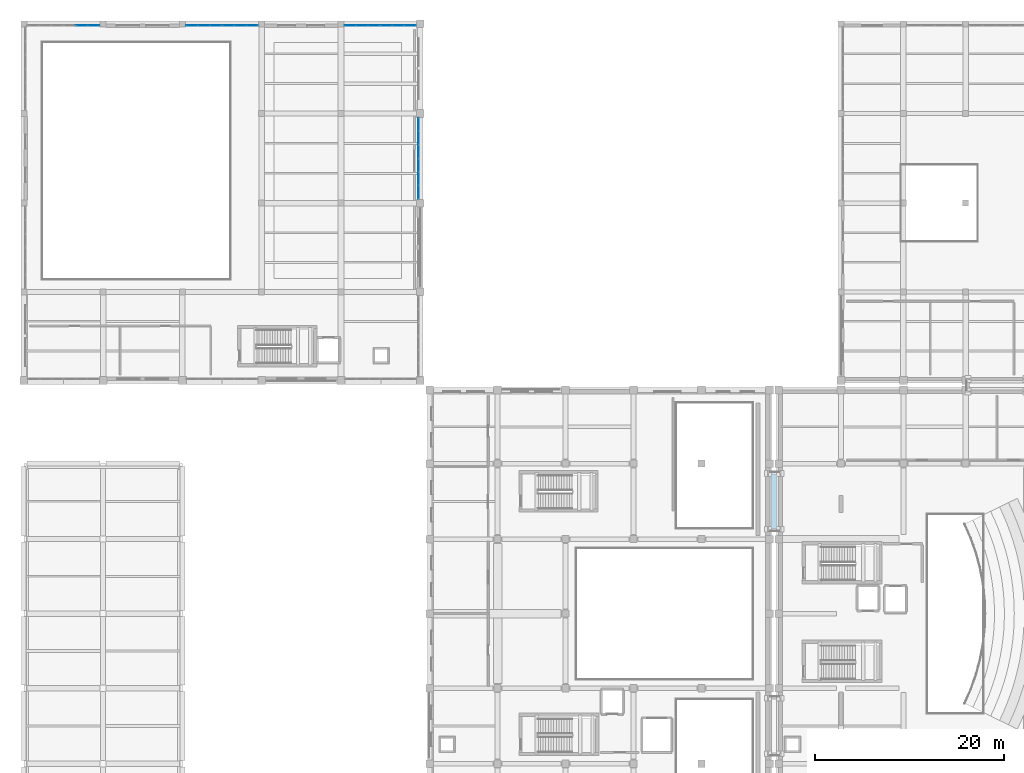
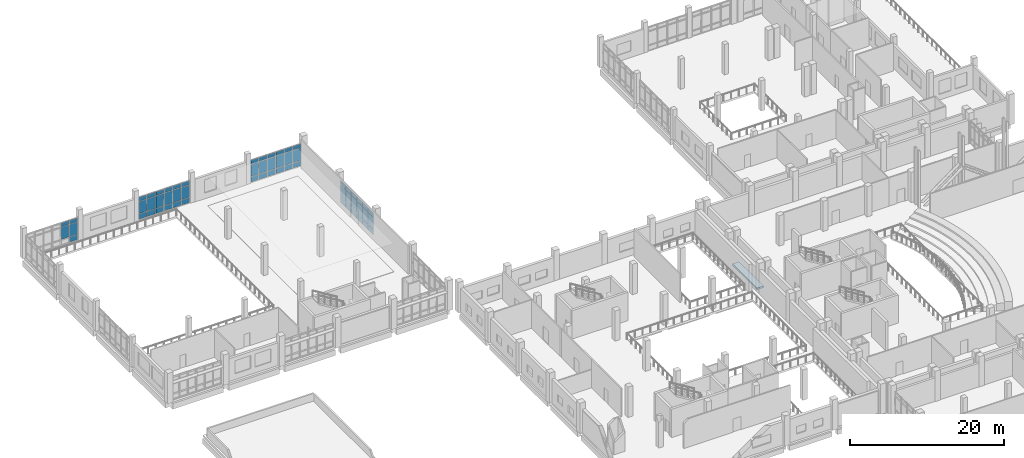
# One storey, part 43 of 73: 59 plates, 1 slab, 7 elements without a shape of their own.
"""IFC4 building model written with IfcOpenShell, lengths in metres."""

from ifc_helpers import new_model, si_unit, direction, frame, origin, origin_2d, place, context, subcontext, project, spatial, polyline, rectangle, outline, extrude, material, layer, layer_set, type_object, element, aggregate, save


model = new_model("IFC4")

# Units and contexts
model_context = context("Model", 3, precision=1e-05, world=origin(), true_north=direction((0.0, 1.0)))
body_context = subcontext(model_context, "Body", "Model", "MODEL_VIEW")
ifc_project = project(units=[si_unit("LENGTHUNIT", "METRE"), si_unit("AREAUNIT", "SQUARE_METRE"), si_unit("VOLUMEUNIT", "CUBIC_METRE"), si_unit("PLANEANGLEUNIT", "RADIAN"), si_unit("MASSUNIT", "GRAM", prefix="KILO")], contexts=[model_context])

# Site, building, storey
site_placement = place(None, origin())
site = spatial("IfcSite", under=ifc_project, at=site_placement, CompositionType="ELEMENT")
building_placement = place(site_placement, origin())
building = spatial("IfcBuilding", under=site, at=building_placement, Name="Kelarvand Opera House", CompositionType="ELEMENT")
storey_placement = place(building_placement, frame((0.0, 0.0, 10.199951171875)))
storey = spatial("IfcBuildingStorey", under=building, at=storey_placement, Name="L02", CompositionType="ELEMENT", Elevation=10.199951171875)

# Curtain wall, plates
ifc_material_1 = material(Name="Thermally broken aluminium and low-E glazing", Category="aluminium")
ifc_layer_1 = layer(ifc_material_1, 0.179931640625, Name="Thermally broken aluminium and low-E glazing", Category="aluminium")
ifc_layer_set_1 = layer_set([ifc_layer_1], Name="Thermally broken aluminium and low-E glazing")
curtain_wall_type_1 = type_object("IfcCurtainWallType", Name="Unitised Low-E Curtain Wall 4326x3600 Mod 1350 CWF-15", PredefinedType="USERDEFINED", material=ifc_layer_set_1)
curtain_wall_1_placement = place(storey_placement, origin())
curtain_wall_1 = element("IfcCurtainWall", 1, at=curtain_wall_1_placement, inside=storey, type_object=curtain_wall_type_1, Name="V3 L02 Curtain Wall CWF-15 (67)", ObjectType="UNITISED CURTAIN WALL", PredefinedType="USERDEFINED")
ifc_material_2 = material(Name="Low-E laminated double glazing", Category="glass")
ifc_layer_2 = layer(ifc_material_2, 0.031982421875, Name="Low-E laminated double glazing", Category="glass")
ifc_layer_set_2 = layer_set([ifc_layer_2], Name="Low-E laminated double glazing")
plate_type = type_object("IfcPlateType", Name="Low-E Argon Double Glazed Curtain Panel 32mm", PredefinedType="CURTAIN_PANEL", material=ifc_layer_set_2)
plate_1_placement = place(storey_placement, frame((50.820068359375, 114.3427734375, 0.06494140625), z_axis=(0.0, 0.0, 1.0), x_axis=(0.0, -1.0, 0.0)))
plate_1 = element("IfcPlate", 2, at=plate_1_placement, type_object=plate_type, Name="CWF-15 panel 1.1", PredefinedType="CURTAIN_PANEL", context=body_context, shape_type="SweptSolid", body=[
    extrude(rectangle(XDim=1.344482421875, YDim=0.031982421875, at=origin_2d()), origin(), (0.0, 0.0, 1.0), 0.802490234375),
])
plate_2_placement = place(storey_placement, frame((50.820068359375, 114.3427734375, 0.9326171875), z_axis=(0.0, 0.0, 1.0), x_axis=(0.0, -1.0, 0.0)))
plate_2 = element("IfcPlate", 3, at=plate_2_placement, type_object=plate_type, Name="CWF-15 panel 1.2", PredefinedType="CURTAIN_PANEL", context=body_context, shape_type="SweptSolid", body=[
    extrude(rectangle(XDim=1.344482421875, YDim=0.031982421875, at=origin_2d()), origin(), (0.0, 0.0, 1.0), 1.93505859375),
])
plate_3_placement = place(storey_placement, frame((50.820068359375, 114.3427734375, 2.9326171875), z_axis=(0.0, 0.0, 1.0), x_axis=(0.0, -1.0, 0.0)))
plate_3 = element("IfcPlate", 4, at=plate_3_placement, type_object=plate_type, Name="CWF-15 panel 1.3", PredefinedType="CURTAIN_PANEL", context=body_context, shape_type="SweptSolid", body=[
    extrude(rectangle(XDim=1.344482421875, YDim=0.031982421875, at=origin_2d()), origin(), (0.0, 0.0, 1.0), 0.6025390625),
])
plate_4_placement = place(storey_placement, frame((50.820068359375, 112.9169921875, 0.06494140625), z_axis=(0.0, 0.0, 1.0), x_axis=(0.0, -1.0, 0.0)))
plate_4 = element("IfcPlate", 5, at=plate_4_placement, type_object=plate_type, Name="CWF-15 panel 2.1", PredefinedType="CURTAIN_PANEL", context=body_context, shape_type="SweptSolid", body=[
    extrude(rectangle(XDim=1.376953125, YDim=0.031982421875, at=origin_2d()), origin(), (0.0, 0.0, 1.0), 0.802490234375),
])
plate_5_placement = place(storey_placement, frame((50.820068359375, 112.9169921875, 0.9326171875), z_axis=(0.0, 0.0, 1.0), x_axis=(0.0, -1.0, 0.0)))
plate_5 = element("IfcPlate", 6, at=plate_5_placement, type_object=plate_type, Name="CWF-15 panel 2.2", PredefinedType="CURTAIN_PANEL", context=body_context, shape_type="SweptSolid", body=[
    extrude(rectangle(XDim=1.376953125, YDim=0.031982421875, at=origin_2d()), origin(), (0.0, 0.0, 1.0), 1.93505859375),
])
plate_6_placement = place(storey_placement, frame((50.820068359375, 112.9169921875, 2.9326171875), z_axis=(0.0, 0.0, 1.0), x_axis=(0.0, -1.0, 0.0)))
plate_6 = element("IfcPlate", 7, at=plate_6_placement, type_object=plate_type, Name="CWF-15 panel 2.3", PredefinedType="CURTAIN_PANEL", context=body_context, shape_type="SweptSolid", body=[
    extrude(rectangle(XDim=1.376953125, YDim=0.031982421875, at=origin_2d()), origin(), (0.0, 0.0, 1.0), 0.6025390625),
])
plate_7_placement = place(storey_placement, frame((50.820068359375, 111.4912109375, 0.06494140625), z_axis=(0.0, 0.0, 1.0), x_axis=(0.0, -1.0, 0.0)))
plate_7 = element("IfcPlate", 8, at=plate_7_placement, type_object=plate_type, Name="CWF-15 panel 3.1", PredefinedType="CURTAIN_PANEL", context=body_context, shape_type="SweptSolid", body=[
    extrude(rectangle(XDim=1.344482421875, YDim=0.031982421875, at=origin_2d()), origin(), (0.0, 0.0, 1.0), 0.802490234375),
])
plate_8_placement = place(storey_placement, frame((50.820068359375, 111.4912109375, 0.9326171875), z_axis=(0.0, 0.0, 1.0), x_axis=(0.0, -1.0, 0.0)))
plate_8 = element("IfcPlate", 9, at=plate_8_placement, type_object=plate_type, Name="CWF-15 panel 3.2", PredefinedType="CURTAIN_PANEL", context=body_context, shape_type="SweptSolid", body=[
    extrude(rectangle(XDim=1.344482421875, YDim=0.031982421875, at=origin_2d()), origin(), (0.0, 0.0, 1.0), 1.93505859375),
])
plate_9_placement = place(storey_placement, frame((50.820068359375, 111.4912109375, 2.9326171875), z_axis=(0.0, 0.0, 1.0), x_axis=(0.0, -1.0, 0.0)))
plate_9 = element("IfcPlate", 10, at=plate_9_placement, type_object=plate_type, Name="CWF-15 panel 3.3", PredefinedType="CURTAIN_PANEL", context=body_context, shape_type="SweptSolid", body=[
    extrude(rectangle(XDim=1.344482421875, YDim=0.031982421875, at=origin_2d()), origin(), (0.0, 0.0, 1.0), 0.6025390625),
])
aggregate(curtain_wall_1, [plate_1, plate_2, plate_3, plate_4, plate_5, plate_6, plate_7, plate_8, plate_9])

curtain_wall_2_placement = place(storey_placement, origin())
curtain_wall_2 = element("IfcCurtainWall", 11, at=curtain_wall_2_placement, inside=storey, type_object=curtain_wall_type_1, Name="V3 L02 Curtain Wall CWF-15 (68)", ObjectType="UNITISED CURTAIN WALL", PredefinedType="USERDEFINED")
plate_10_placement = place(storey_placement, frame((50.820068359375, 110.011962890625, 0.06494140625), z_axis=(0.0, 0.0, 1.0), x_axis=(0.0, -1.0, 0.0)))
plate_10 = element("IfcPlate", 12, at=plate_10_placement, type_object=plate_type, Name="CWF-15 panel 1.1", PredefinedType="CURTAIN_PANEL", context=body_context, shape_type="SweptSolid", body=[
    extrude(rectangle(XDim=1.345947265625, YDim=0.031982421875, at=origin_2d()), origin(), (0.0, 0.0, 1.0), 0.802490234375),
])
plate_11_placement = place(storey_placement, frame((50.820068359375, 110.011962890625, 0.9326171875), z_axis=(0.0, 0.0, 1.0), x_axis=(0.0, -1.0, 0.0)))
plate_11 = element("IfcPlate", 13, at=plate_11_placement, type_object=plate_type, Name="CWF-15 panel 1.2", PredefinedType="CURTAIN_PANEL", context=body_context, shape_type="SweptSolid", body=[
    extrude(rectangle(XDim=1.345947265625, YDim=0.031982421875, at=origin_2d()), origin(), (0.0, 0.0, 1.0), 1.93505859375),
])
plate_12_placement = place(storey_placement, frame((50.820068359375, 110.011962890625, 2.9326171875), z_axis=(0.0, 0.0, 1.0), x_axis=(0.0, -1.0, 0.0)))
plate_12 = element("IfcPlate", 14, at=plate_12_placement, type_object=plate_type, Name="CWF-15 panel 1.3", PredefinedType="CURTAIN_PANEL", context=body_context, shape_type="SweptSolid", body=[
    extrude(rectangle(XDim=1.345947265625, YDim=0.031982421875, at=origin_2d()), origin(), (0.0, 0.0, 1.0), 0.6025390625),
])
plate_13_placement = place(storey_placement, frame((50.820068359375, 108.5849609375, 0.06494140625), z_axis=(0.0, 0.0, 1.0), x_axis=(0.0, -1.0, 0.0)))
plate_13 = element("IfcPlate", 15, at=plate_13_placement, type_object=plate_type, Name="CWF-15 panel 2.1", PredefinedType="CURTAIN_PANEL", context=body_context, shape_type="SweptSolid", body=[
    extrude(rectangle(XDim=1.37841796875, YDim=0.031982421875, at=origin_2d()), origin(), (0.0, 0.0, 1.0), 0.802490234375),
])
plate_14_placement = place(storey_placement, frame((50.820068359375, 108.5849609375, 0.9326171875), z_axis=(0.0, 0.0, 1.0), x_axis=(0.0, -1.0, 0.0)))
plate_14 = element("IfcPlate", 16, at=plate_14_placement, type_object=plate_type, Name="CWF-15 panel 2.2", PredefinedType="CURTAIN_PANEL", context=body_context, shape_type="SweptSolid", body=[
    extrude(rectangle(XDim=1.37841796875, YDim=0.031982421875, at=origin_2d()), origin(), (0.0, 0.0, 1.0), 1.93505859375),
])
plate_15_placement = place(storey_placement, frame((50.820068359375, 108.5849609375, 2.9326171875), z_axis=(0.0, 0.0, 1.0), x_axis=(0.0, -1.0, 0.0)))
plate_15 = element("IfcPlate", 17, at=plate_15_placement, type_object=plate_type, Name="CWF-15 panel 2.3", PredefinedType="CURTAIN_PANEL", context=body_context, shape_type="SweptSolid", body=[
    extrude(rectangle(XDim=1.37841796875, YDim=0.031982421875, at=origin_2d()), origin(), (0.0, 0.0, 1.0), 0.6025390625),
])
plate_16_placement = place(storey_placement, frame((50.820068359375, 107.157958984375, 0.06494140625), z_axis=(0.0, 0.0, 1.0), x_axis=(0.0, -1.0, 0.0)))
plate_16 = element("IfcPlate", 18, at=plate_16_placement, type_object=plate_type, Name="CWF-15 panel 3.1", PredefinedType="CURTAIN_PANEL", context=body_context, shape_type="SweptSolid", body=[
    extrude(rectangle(XDim=1.345947265625, YDim=0.031982421875, at=origin_2d()), origin(), (0.0, 0.0, 1.0), 0.802490234375),
])
plate_17_placement = place(storey_placement, frame((50.820068359375, 107.157958984375, 0.9326171875), z_axis=(0.0, 0.0, 1.0), x_axis=(0.0, -1.0, 0.0)))
plate_17 = element("IfcPlate", 19, at=plate_17_placement, type_object=plate_type, Name="CWF-15 panel 3.2", PredefinedType="CURTAIN_PANEL", context=body_context, shape_type="SweptSolid", body=[
    extrude(rectangle(XDim=1.345947265625, YDim=0.031982421875, at=origin_2d()), origin(), (0.0, 0.0, 1.0), 1.93505859375),
])
plate_18_placement = place(storey_placement, frame((50.820068359375, 107.157958984375, 2.9326171875), z_axis=(0.0, 0.0, 1.0), x_axis=(0.0, -1.0, 0.0)))
plate_18 = element("IfcPlate", 20, at=plate_18_placement, type_object=plate_type, Name="CWF-15 panel 3.3", PredefinedType="CURTAIN_PANEL", context=body_context, shape_type="SweptSolid", body=[
    extrude(rectangle(XDim=1.345947265625, YDim=0.031982421875, at=origin_2d()), origin(), (0.0, 0.0, 1.0), 0.6025390625),
])
aggregate(curtain_wall_2, [plate_10, plate_11, plate_12, plate_13, plate_14, plate_15, plate_16, plate_17, plate_18])

ifc_layer_3 = layer(ifc_material_1, 0.179931640625, Name="Thermally broken aluminium and low-E glazing", Category="aluminium")
ifc_layer_set_3 = layer_set([ifc_layer_3], Name="Thermally broken aluminium and low-E glazing")
curtain_wall_type_2 = type_object("IfcCurtainWallType", Name="Unitised Low-E Curtain Wall 3861x3600 Mod 1350 CWF-17", PredefinedType="USERDEFINED", material=ifc_layer_set_3)
curtain_wall_3_placement = place(storey_placement, origin())
curtain_wall_3 = element("IfcCurtainWall", 21, at=curtain_wall_3_placement, inside=storey, type_object=curtain_wall_type_2, Name="V3 L02 Curtain Wall CWF-17 (72)", ObjectType="UNITISED CURTAIN WALL", PredefinedType="USERDEFINED")
plate_19_placement = place(storey_placement, frame((15.132568359375, 124.820068359375, 0.9326171875), z_axis=(0.0, 0.0, 1.0), x_axis=(1.0, 0.0, 0.0)))
plate_19 = element("IfcPlate", 22, at=plate_19_placement, type_object=plate_type, Name="CWF-17 panel 2.2", PredefinedType="CURTAIN_PANEL", context=body_context, shape_type="SweptSolid", body=[
    extrude(rectangle(XDim=1.223388671875, YDim=0.031982421875, at=origin_2d()), origin(), (0.0, 0.0, 1.0), 1.93505859375),
])
plate_20_placement = place(storey_placement, frame((15.132568359375, 124.820068359375, 2.9326171875), z_axis=(0.0, 0.0, 1.0), x_axis=(1.0, 0.0, 0.0)))
plate_20 = element("IfcPlate", 23, at=plate_20_placement, type_object=plate_type, Name="CWF-17 panel 2.3", PredefinedType="CURTAIN_PANEL", context=body_context, shape_type="SweptSolid", body=[
    extrude(rectangle(XDim=1.223388671875, YDim=0.031982421875, at=origin_2d()), origin(), (0.0, 0.0, 1.0), 0.6025390625),
])
plate_21_placement = place(storey_placement, frame((16.404541015625, 124.820068359375, 0.06494140625), z_axis=(0.0, 0.0, 1.0), x_axis=(1.0, 0.0, 0.0)))
plate_21 = element("IfcPlate", 24, at=plate_21_placement, type_object=plate_type, Name="CWF-17 panel 3.1", PredefinedType="CURTAIN_PANEL", context=body_context, shape_type="SweptSolid", body=[
    extrude(rectangle(XDim=1.19091796875, YDim=0.031982421875, at=origin_2d()), origin(), (0.0, 0.0, 1.0), 0.802490234375),
])
plate_22_placement = place(storey_placement, frame((16.404541015625, 124.820068359375, 0.9326171875), z_axis=(0.0, 0.0, 1.0), x_axis=(1.0, 0.0, 0.0)))
plate_22 = element("IfcPlate", 25, at=plate_22_placement, type_object=plate_type, Name="CWF-17 panel 3.2", PredefinedType="CURTAIN_PANEL", context=body_context, shape_type="SweptSolid", body=[
    extrude(rectangle(XDim=1.19091796875, YDim=0.031982421875, at=origin_2d()), origin(), (0.0, 0.0, 1.0), 1.93505859375),
])
plate_23_placement = place(storey_placement, frame((16.404541015625, 124.820068359375, 2.9326171875), z_axis=(0.0, 0.0, 1.0), x_axis=(1.0, 0.0, 0.0)))
plate_23 = element("IfcPlate", 26, at=plate_23_placement, type_object=plate_type, Name="CWF-17 panel 3.3", PredefinedType="CURTAIN_PANEL", context=body_context, shape_type="SweptSolid", body=[
    extrude(rectangle(XDim=1.19091796875, YDim=0.031982421875, at=origin_2d()), origin(), (0.0, 0.0, 1.0), 0.6025390625),
])
aggregate(curtain_wall_3, [plate_19, plate_20, plate_21, plate_22, plate_23])

curtain_wall_4_placement = place(storey_placement, origin())
curtain_wall_4 = element("IfcCurtainWall", 27, at=curtain_wall_4_placement, inside=storey, type_object=curtain_wall_type_2, Name="V3 L02 Curtain Wall CWF-17 (73)", ObjectType="UNITISED CURTAIN WALL", PredefinedType="USERDEFINED")
plate_24_placement = place(storey_placement, frame((26.794677734375, 124.820068359375, 0.06494140625), z_axis=(0.0, 0.0, 1.0), x_axis=(1.0, 0.0, 0.0)))
plate_24 = element("IfcPlate", 28, at=plate_24_placement, type_object=plate_type, Name="CWF-17 panel 1.1", PredefinedType="CURTAIN_PANEL", context=body_context, shape_type="SweptSolid", body=[
    extrude(rectangle(XDim=1.189453125, YDim=0.031982421875, at=origin_2d()), origin(), (0.0, 0.0, 1.0), 0.802490234375),
])
plate_25_placement = place(storey_placement, frame((26.794677734375, 124.820068359375, 0.9326171875), z_axis=(0.0, 0.0, 1.0), x_axis=(1.0, 0.0, 0.0)))
plate_25 = element("IfcPlate", 29, at=plate_25_placement, type_object=plate_type, Name="CWF-17 panel 1.2", PredefinedType="CURTAIN_PANEL", context=body_context, shape_type="SweptSolid", body=[
    extrude(rectangle(XDim=1.189453125, YDim=0.031982421875, at=origin_2d()), origin(), (0.0, 0.0, 1.0), 1.93505859375),
])
plate_26_placement = place(storey_placement, frame((26.794677734375, 124.820068359375, 2.9326171875), z_axis=(0.0, 0.0, 1.0), x_axis=(1.0, 0.0, 0.0)))
plate_26 = element("IfcPlate", 30, at=plate_26_placement, type_object=plate_type, Name="CWF-17 panel 1.3", PredefinedType="CURTAIN_PANEL", context=body_context, shape_type="SweptSolid", body=[
    extrude(rectangle(XDim=1.189453125, YDim=0.031982421875, at=origin_2d()), origin(), (0.0, 0.0, 1.0), 0.6025390625),
])
plate_27_placement = place(storey_placement, frame((28.0654296875, 124.820068359375, 0.06494140625), z_axis=(0.0, 0.0, 1.0), x_axis=(1.0, 0.0, 0.0)))
plate_27 = element("IfcPlate", 31, at=plate_27_placement, type_object=plate_type, Name="CWF-17 panel 2.1", PredefinedType="CURTAIN_PANEL", context=body_context, shape_type="SweptSolid", body=[
    extrude(rectangle(XDim=1.221923828125, YDim=0.031982421875, at=origin_2d()), origin(), (0.0, 0.0, 1.0), 0.802490234375),
])
plate_28_placement = place(storey_placement, frame((28.0654296875, 124.820068359375, 0.9326171875), z_axis=(0.0, 0.0, 1.0), x_axis=(1.0, 0.0, 0.0)))
plate_28 = element("IfcPlate", 32, at=plate_28_placement, type_object=plate_type, Name="CWF-17 panel 2.2", PredefinedType="CURTAIN_PANEL", context=body_context, shape_type="SweptSolid", body=[
    extrude(rectangle(XDim=1.221923828125, YDim=0.031982421875, at=origin_2d()), origin(), (0.0, 0.0, 1.0), 1.93505859375),
])
plate_29_placement = place(storey_placement, frame((28.0654296875, 124.820068359375, 2.9326171875), z_axis=(0.0, 0.0, 1.0), x_axis=(1.0, 0.0, 0.0)))
plate_29 = element("IfcPlate", 33, at=plate_29_placement, type_object=plate_type, Name="CWF-17 panel 2.3", PredefinedType="CURTAIN_PANEL", context=body_context, shape_type="SweptSolid", body=[
    extrude(rectangle(XDim=1.221923828125, YDim=0.031982421875, at=origin_2d()), origin(), (0.0, 0.0, 1.0), 0.6025390625),
])
plate_30_placement = place(storey_placement, frame((29.336181640625, 124.820068359375, 0.06494140625), z_axis=(0.0, 0.0, 1.0), x_axis=(1.0, 0.0, 0.0)))
plate_30 = element("IfcPlate", 34, at=plate_30_placement, type_object=plate_type, Name="CWF-17 panel 3.1", PredefinedType="CURTAIN_PANEL", context=body_context, shape_type="SweptSolid", body=[
    extrude(rectangle(XDim=1.189453125, YDim=0.031982421875, at=origin_2d()), origin(), (0.0, 0.0, 1.0), 0.802490234375),
])
plate_31_placement = place(storey_placement, frame((29.336181640625, 124.820068359375, 0.9326171875), z_axis=(0.0, 0.0, 1.0), x_axis=(1.0, 0.0, 0.0)))
plate_31 = element("IfcPlate", 35, at=plate_31_placement, type_object=plate_type, Name="CWF-17 panel 3.2", PredefinedType="CURTAIN_PANEL", context=body_context, shape_type="SweptSolid", body=[
    extrude(rectangle(XDim=1.189453125, YDim=0.031982421875, at=origin_2d()), origin(), (0.0, 0.0, 1.0), 1.93505859375),
])
plate_32_placement = place(storey_placement, frame((29.336181640625, 124.820068359375, 2.9326171875), z_axis=(0.0, 0.0, 1.0), x_axis=(1.0, 0.0, 0.0)))
plate_32 = element("IfcPlate", 36, at=plate_32_placement, type_object=plate_type, Name="CWF-17 panel 3.3", PredefinedType="CURTAIN_PANEL", context=body_context, shape_type="SweptSolid", body=[
    extrude(rectangle(XDim=1.189453125, YDim=0.031982421875, at=origin_2d()), origin(), (0.0, 0.0, 1.0), 0.6025390625),
])
aggregate(curtain_wall_4, [plate_24, plate_25, plate_26, plate_27, plate_28, plate_29, plate_30, plate_31, plate_32])

curtain_wall_5_placement = place(storey_placement, origin())
curtain_wall_5 = element("IfcCurtainWall", 37, at=curtain_wall_5_placement, inside=storey, type_object=curtain_wall_type_2, Name="V3 L02 Curtain Wall CWF-17 (74)", ObjectType="UNITISED CURTAIN WALL", PredefinedType="USERDEFINED")
plate_33_placement = place(storey_placement, frame((30.660400390625, 124.820068359375, 0.06494140625), z_axis=(0.0, 0.0, 1.0), x_axis=(1.0, 0.0, 0.0)))
plate_33 = element("IfcPlate", 38, at=plate_33_placement, type_object=plate_type, Name="CWF-17 panel 1.1", PredefinedType="CURTAIN_PANEL", context=body_context, shape_type="SweptSolid", body=[
    extrude(rectangle(XDim=1.19091796875, YDim=0.031982421875, at=origin_2d()), origin(), (0.0, 0.0, 1.0), 0.802490234375),
])
plate_34_placement = place(storey_placement, frame((30.660400390625, 124.820068359375, 0.9326171875), z_axis=(0.0, 0.0, 1.0), x_axis=(1.0, 0.0, 0.0)))
plate_34 = element("IfcPlate", 39, at=plate_34_placement, type_object=plate_type, Name="CWF-17 panel 1.2", PredefinedType="CURTAIN_PANEL", context=body_context, shape_type="SweptSolid", body=[
    extrude(rectangle(XDim=1.19091796875, YDim=0.031982421875, at=origin_2d()), origin(), (0.0, 0.0, 1.0), 1.93505859375),
])
plate_35_placement = place(storey_placement, frame((30.660400390625, 124.820068359375, 2.9326171875), z_axis=(0.0, 0.0, 1.0), x_axis=(1.0, 0.0, 0.0)))
plate_35 = element("IfcPlate", 40, at=plate_35_placement, type_object=plate_type, Name="CWF-17 panel 1.3", PredefinedType="CURTAIN_PANEL", context=body_context, shape_type="SweptSolid", body=[
    extrude(rectangle(XDim=1.19091796875, YDim=0.031982421875, at=origin_2d()), origin(), (0.0, 0.0, 1.0), 0.6025390625),
])
plate_36_placement = place(storey_placement, frame((31.9326171875, 124.820068359375, 0.06494140625), z_axis=(0.0, 0.0, 1.0), x_axis=(1.0, 0.0, 0.0)))
plate_36 = element("IfcPlate", 41, at=plate_36_placement, type_object=plate_type, Name="CWF-17 panel 2.1", PredefinedType="CURTAIN_PANEL", context=body_context, shape_type="SweptSolid", body=[
    extrude(rectangle(XDim=1.223388671875, YDim=0.031982421875, at=origin_2d()), origin(), (0.0, 0.0, 1.0), 0.802490234375),
])
plate_37_placement = place(storey_placement, frame((31.9326171875, 124.820068359375, 0.9326171875), z_axis=(0.0, 0.0, 1.0), x_axis=(1.0, 0.0, 0.0)))
plate_37 = element("IfcPlate", 42, at=plate_37_placement, type_object=plate_type, Name="CWF-17 panel 2.2", PredefinedType="CURTAIN_PANEL", context=body_context, shape_type="SweptSolid", body=[
    extrude(rectangle(XDim=1.223388671875, YDim=0.031982421875, at=origin_2d()), origin(), (0.0, 0.0, 1.0), 1.93505859375),
])
plate_38_placement = place(storey_placement, frame((31.9326171875, 124.820068359375, 2.9326171875), z_axis=(0.0, 0.0, 1.0), x_axis=(1.0, 0.0, 0.0)))
plate_38 = element("IfcPlate", 43, at=plate_38_placement, type_object=plate_type, Name="CWF-17 panel 2.3", PredefinedType="CURTAIN_PANEL", context=body_context, shape_type="SweptSolid", body=[
    extrude(rectangle(XDim=1.223388671875, YDim=0.031982421875, at=origin_2d()), origin(), (0.0, 0.0, 1.0), 0.6025390625),
])
plate_39_placement = place(storey_placement, frame((33.20458984375, 124.820068359375, 0.06494140625), z_axis=(0.0, 0.0, 1.0), x_axis=(1.0, 0.0, 0.0)))
plate_39 = element("IfcPlate", 44, at=plate_39_placement, type_object=plate_type, Name="CWF-17 panel 3.1", PredefinedType="CURTAIN_PANEL", context=body_context, shape_type="SweptSolid", body=[
    extrude(rectangle(XDim=1.19091796875, YDim=0.031982421875, at=origin_2d()), origin(), (0.0, 0.0, 1.0), 0.802490234375),
])
plate_40_placement = place(storey_placement, frame((33.20458984375, 124.820068359375, 0.9326171875), z_axis=(0.0, 0.0, 1.0), x_axis=(1.0, 0.0, 0.0)))
plate_40 = element("IfcPlate", 45, at=plate_40_placement, type_object=plate_type, Name="CWF-17 panel 3.2", PredefinedType="CURTAIN_PANEL", context=body_context, shape_type="SweptSolid", body=[
    extrude(rectangle(XDim=1.19091796875, YDim=0.031982421875, at=origin_2d()), origin(), (0.0, 0.0, 1.0), 1.93505859375),
])
plate_41_placement = place(storey_placement, frame((33.20458984375, 124.820068359375, 2.9326171875), z_axis=(0.0, 0.0, 1.0), x_axis=(1.0, 0.0, 0.0)))
plate_41 = element("IfcPlate", 46, at=plate_41_placement, type_object=plate_type, Name="CWF-17 panel 3.3", PredefinedType="CURTAIN_PANEL", context=body_context, shape_type="SweptSolid", body=[
    extrude(rectangle(XDim=1.19091796875, YDim=0.031982421875, at=origin_2d()), origin(), (0.0, 0.0, 1.0), 0.6025390625),
])
aggregate(curtain_wall_5, [plate_33, plate_34, plate_35, plate_36, plate_37, plate_38, plate_39, plate_40, plate_41])

ifc_layer_4 = layer(ifc_material_1, 0.179931640625, Name="Thermally broken aluminium and low-E glazing", Category="aluminium")
ifc_layer_set_4 = layer_set([ifc_layer_4], Name="Thermally broken aluminium and low-E glazing")
curtain_wall_type_3 = type_object("IfcCurtainWallType", Name="Unitised Low-E Curtain Wall 3818x3600 Mod 1350 CWF-18", PredefinedType="USERDEFINED", material=ifc_layer_set_4)
curtain_wall_6_placement = place(storey_placement, origin())
curtain_wall_6 = element("IfcCurtainWall", 47, at=curtain_wall_6_placement, inside=storey, type_object=curtain_wall_type_3, Name="V3 L02 Curtain Wall CWF-18 (75)", ObjectType="UNITISED CURTAIN WALL", PredefinedType="USERDEFINED")
plate_42_placement = place(storey_placement, frame((43.587646484375, 124.820068359375, 0.06494140625), z_axis=(0.0, 0.0, 1.0), x_axis=(1.0, 0.0, 0.0)))
plate_42 = element("IfcPlate", 48, at=plate_42_placement, type_object=plate_type, Name="CWF-18 panel 1.1", PredefinedType="CURTAIN_PANEL", context=body_context, shape_type="SweptSolid", body=[
    extrude(rectangle(XDim=1.17529296875, YDim=0.031982421875, at=origin_2d()), origin(), (0.0, 0.0, 1.0), 0.802490234375),
])
plate_43_placement = place(storey_placement, frame((43.587646484375, 124.820068359375, 0.9326171875), z_axis=(0.0, 0.0, 1.0), x_axis=(1.0, 0.0, 0.0)))
plate_43 = element("IfcPlate", 49, at=plate_43_placement, type_object=plate_type, Name="CWF-18 panel 1.2", PredefinedType="CURTAIN_PANEL", context=body_context, shape_type="SweptSolid", body=[
    extrude(rectangle(XDim=1.17529296875, YDim=0.031982421875, at=origin_2d()), origin(), (0.0, 0.0, 1.0), 1.93505859375),
])
plate_44_placement = place(storey_placement, frame((43.587646484375, 124.820068359375, 2.9326171875), z_axis=(0.0, 0.0, 1.0), x_axis=(1.0, 0.0, 0.0)))
plate_44 = element("IfcPlate", 50, at=plate_44_placement, type_object=plate_type, Name="CWF-18 panel 1.3", PredefinedType="CURTAIN_PANEL", context=body_context, shape_type="SweptSolid", body=[
    extrude(rectangle(XDim=1.17529296875, YDim=0.031982421875, at=origin_2d()), origin(), (0.0, 0.0, 1.0), 0.6025390625),
])
plate_45_placement = place(storey_placement, frame((44.84423828125, 124.820068359375, 0.06494140625), z_axis=(0.0, 0.0, 1.0), x_axis=(1.0, 0.0, 0.0)))
plate_45 = element("IfcPlate", 51, at=plate_45_placement, type_object=plate_type, Name="CWF-18 panel 2.1", PredefinedType="CURTAIN_PANEL", context=body_context, shape_type="SweptSolid", body=[
    extrude(rectangle(XDim=1.207763671875, YDim=0.031982421875, at=origin_2d()), origin(), (0.0, 0.0, 1.0), 0.802490234375),
])
plate_46_placement = place(storey_placement, frame((44.84423828125, 124.820068359375, 0.9326171875), z_axis=(0.0, 0.0, 1.0), x_axis=(1.0, 0.0, 0.0)))
plate_46 = element("IfcPlate", 52, at=plate_46_placement, type_object=plate_type, Name="CWF-18 panel 2.2", PredefinedType="CURTAIN_PANEL", context=body_context, shape_type="SweptSolid", body=[
    extrude(rectangle(XDim=1.207763671875, YDim=0.031982421875, at=origin_2d()), origin(), (0.0, 0.0, 1.0), 1.93505859375),
])
plate_47_placement = place(storey_placement, frame((44.84423828125, 124.820068359375, 2.9326171875), z_axis=(0.0, 0.0, 1.0), x_axis=(1.0, 0.0, 0.0)))
plate_47 = element("IfcPlate", 53, at=plate_47_placement, type_object=plate_type, Name="CWF-18 panel 2.3", PredefinedType="CURTAIN_PANEL", context=body_context, shape_type="SweptSolid", body=[
    extrude(rectangle(XDim=1.207763671875, YDim=0.031982421875, at=origin_2d()), origin(), (0.0, 0.0, 1.0), 0.6025390625),
])
plate_48_placement = place(storey_placement, frame((46.100830078125, 124.820068359375, 0.06494140625), z_axis=(0.0, 0.0, 1.0), x_axis=(1.0, 0.0, 0.0)))
plate_48 = element("IfcPlate", 54, at=plate_48_placement, type_object=plate_type, Name="CWF-18 panel 3.1", PredefinedType="CURTAIN_PANEL", context=body_context, shape_type="SweptSolid", body=[
    extrude(rectangle(XDim=1.17529296875, YDim=0.031982421875, at=origin_2d()), origin(), (0.0, 0.0, 1.0), 0.802490234375),
])
plate_49_placement = place(storey_placement, frame((46.100830078125, 124.820068359375, 0.9326171875), z_axis=(0.0, 0.0, 1.0), x_axis=(1.0, 0.0, 0.0)))
plate_49 = element("IfcPlate", 55, at=plate_49_placement, type_object=plate_type, Name="CWF-18 panel 3.2", PredefinedType="CURTAIN_PANEL", context=body_context, shape_type="SweptSolid", body=[
    extrude(rectangle(XDim=1.17529296875, YDim=0.031982421875, at=origin_2d()), origin(), (0.0, 0.0, 1.0), 1.93505859375),
])
plate_50_placement = place(storey_placement, frame((46.100830078125, 124.820068359375, 2.9326171875), z_axis=(0.0, 0.0, 1.0), x_axis=(1.0, 0.0, 0.0)))
plate_50 = element("IfcPlate", 56, at=plate_50_placement, type_object=plate_type, Name="CWF-18 panel 3.3", PredefinedType="CURTAIN_PANEL", context=body_context, shape_type="SweptSolid", body=[
    extrude(rectangle(XDim=1.17529296875, YDim=0.031982421875, at=origin_2d()), origin(), (0.0, 0.0, 1.0), 0.6025390625),
])
aggregate(curtain_wall_6, [plate_42, plate_43, plate_44, plate_45, plate_46, plate_47, plate_48, plate_49, plate_50])

curtain_wall_7_placement = place(storey_placement, origin())
curtain_wall_7 = element("IfcCurtainWall", 57, at=curtain_wall_7_placement, inside=storey, type_object=curtain_wall_type_3, Name="V3 L02 Curtain Wall CWF-18 (76)", ObjectType="UNITISED CURTAIN WALL", PredefinedType="USERDEFINED")
plate_51_placement = place(storey_placement, frame((47.410888671875, 124.820068359375, 0.06494140625), z_axis=(0.0, 0.0, 1.0), x_axis=(1.0, 0.0, 0.0)))
plate_51 = element("IfcPlate", 58, at=plate_51_placement, type_object=plate_type, Name="CWF-18 panel 1.1", PredefinedType="CURTAIN_PANEL", context=body_context, shape_type="SweptSolid", body=[
    extrude(rectangle(XDim=1.1767578125, YDim=0.031982421875, at=origin_2d()), origin(), (0.0, 0.0, 1.0), 0.802490234375),
])
plate_52_placement = place(storey_placement, frame((47.410888671875, 124.820068359375, 0.9326171875), z_axis=(0.0, 0.0, 1.0), x_axis=(1.0, 0.0, 0.0)))
plate_52 = element("IfcPlate", 59, at=plate_52_placement, type_object=plate_type, Name="CWF-18 panel 1.2", PredefinedType="CURTAIN_PANEL", context=body_context, shape_type="SweptSolid", body=[
    extrude(rectangle(XDim=1.1767578125, YDim=0.031982421875, at=origin_2d()), origin(), (0.0, 0.0, 1.0), 1.93505859375),
])
plate_53_placement = place(storey_placement, frame((47.410888671875, 124.820068359375, 2.9326171875), z_axis=(0.0, 0.0, 1.0), x_axis=(1.0, 0.0, 0.0)))
plate_53 = element("IfcPlate", 60, at=plate_53_placement, type_object=plate_type, Name="CWF-18 panel 1.3", PredefinedType="CURTAIN_PANEL", context=body_context, shape_type="SweptSolid", body=[
    extrude(rectangle(XDim=1.1767578125, YDim=0.031982421875, at=origin_2d()), origin(), (0.0, 0.0, 1.0), 0.6025390625),
])
plate_54_placement = place(storey_placement, frame((48.668701171875, 124.820068359375, 0.06494140625), z_axis=(0.0, 0.0, 1.0), x_axis=(1.0, 0.0, 0.0)))
plate_54 = element("IfcPlate", 61, at=plate_54_placement, type_object=plate_type, Name="CWF-18 panel 2.1", PredefinedType="CURTAIN_PANEL", context=body_context, shape_type="SweptSolid", body=[
    extrude(rectangle(XDim=1.209228515625, YDim=0.031982421875, at=origin_2d()), origin(), (0.0, 0.0, 1.0), 0.802490234375),
])
plate_55_placement = place(storey_placement, frame((48.668701171875, 124.820068359375, 0.9326171875), z_axis=(0.0, 0.0, 1.0), x_axis=(1.0, 0.0, 0.0)))
plate_55 = element("IfcPlate", 62, at=plate_55_placement, type_object=plate_type, Name="CWF-18 panel 2.2", PredefinedType="CURTAIN_PANEL", context=body_context, shape_type="SweptSolid", body=[
    extrude(rectangle(XDim=1.209228515625, YDim=0.031982421875, at=origin_2d()), origin(), (0.0, 0.0, 1.0), 1.93505859375),
])
plate_56_placement = place(storey_placement, frame((48.668701171875, 124.820068359375, 2.9326171875), z_axis=(0.0, 0.0, 1.0), x_axis=(1.0, 0.0, 0.0)))
plate_56 = element("IfcPlate", 63, at=plate_56_placement, type_object=plate_type, Name="CWF-18 panel 2.3", PredefinedType="CURTAIN_PANEL", context=body_context, shape_type="SweptSolid", body=[
    extrude(rectangle(XDim=1.209228515625, YDim=0.031982421875, at=origin_2d()), origin(), (0.0, 0.0, 1.0), 0.6025390625),
])
plate_57_placement = place(storey_placement, frame((49.9267578125, 124.820068359375, 0.06494140625), z_axis=(0.0, 0.0, 1.0), x_axis=(1.0, 0.0, 0.0)))
plate_57 = element("IfcPlate", 64, at=plate_57_placement, type_object=plate_type, Name="CWF-18 panel 3.1", PredefinedType="CURTAIN_PANEL", context=body_context, shape_type="SweptSolid", body=[
    extrude(rectangle(XDim=1.1767578125, YDim=0.031982421875, at=origin_2d()), origin(), (0.0, 0.0, 1.0), 0.802490234375),
])
plate_58_placement = place(storey_placement, frame((49.9267578125, 124.820068359375, 0.9326171875), z_axis=(0.0, 0.0, 1.0), x_axis=(1.0, 0.0, 0.0)))
plate_58 = element("IfcPlate", 65, at=plate_58_placement, type_object=plate_type, Name="CWF-18 panel 3.2", PredefinedType="CURTAIN_PANEL", context=body_context, shape_type="SweptSolid", body=[
    extrude(rectangle(XDim=1.1767578125, YDim=0.031982421875, at=origin_2d()), origin(), (0.0, 0.0, 1.0), 1.93505859375),
])
plate_59_placement = place(storey_placement, frame((49.9267578125, 124.820068359375, 2.9326171875), z_axis=(0.0, 0.0, 1.0), x_axis=(1.0, 0.0, 0.0)))
plate_59 = element("IfcPlate", 66, at=plate_59_placement, type_object=plate_type, Name="CWF-18 panel 3.3", PredefinedType="CURTAIN_PANEL", context=body_context, shape_type="SweptSolid", body=[
    extrude(rectangle(XDim=1.1767578125, YDim=0.031982421875, at=origin_2d()), origin(), (0.0, 0.0, 1.0), 0.6025390625),
])
aggregate(curtain_wall_7, [plate_51, plate_52, plate_53, plate_54, plate_55, plate_56, plate_57, plate_58, plate_59])

# Slab
ifc_material_3 = material(Name="Concrete C35/45", Category="concrete")
ifc_layer_5 = layer(ifc_material_3, 0.260009765625, Name="Concrete C35/45", Category="concrete")
ifc_layer_set_5 = layer_set([ifc_layer_5], Name="Concrete C35/45")
slab_type = type_object("IfcSlabType", Name="Seismic Bridge Deck Slab 260", PredefinedType="FLOOR", material=ifc_layer_set_5)
slab_placement = place(storey_placement, frame((0.0, 0.0, -0.260009765625)))
element("IfcSlab", 67, at=slab_placement, inside=storey, type_object=slab_type, Name="Seismic Joint Sliding Bridge BR-JP-N L02", PredefinedType="FLOOR", context=body_context, shape_type="SweptSolid", body=[
    extrude(outline(polyline([(88.0, 71.199951171875), (89.0, 71.199951171875), (89.0, 77.60009765625), (88.0, 77.60009765625), (88.0, 71.199951171875)])), origin(), (0.0, 0.0, 1.0), 0.260009765625),
])

save(model, "model.ifc")
